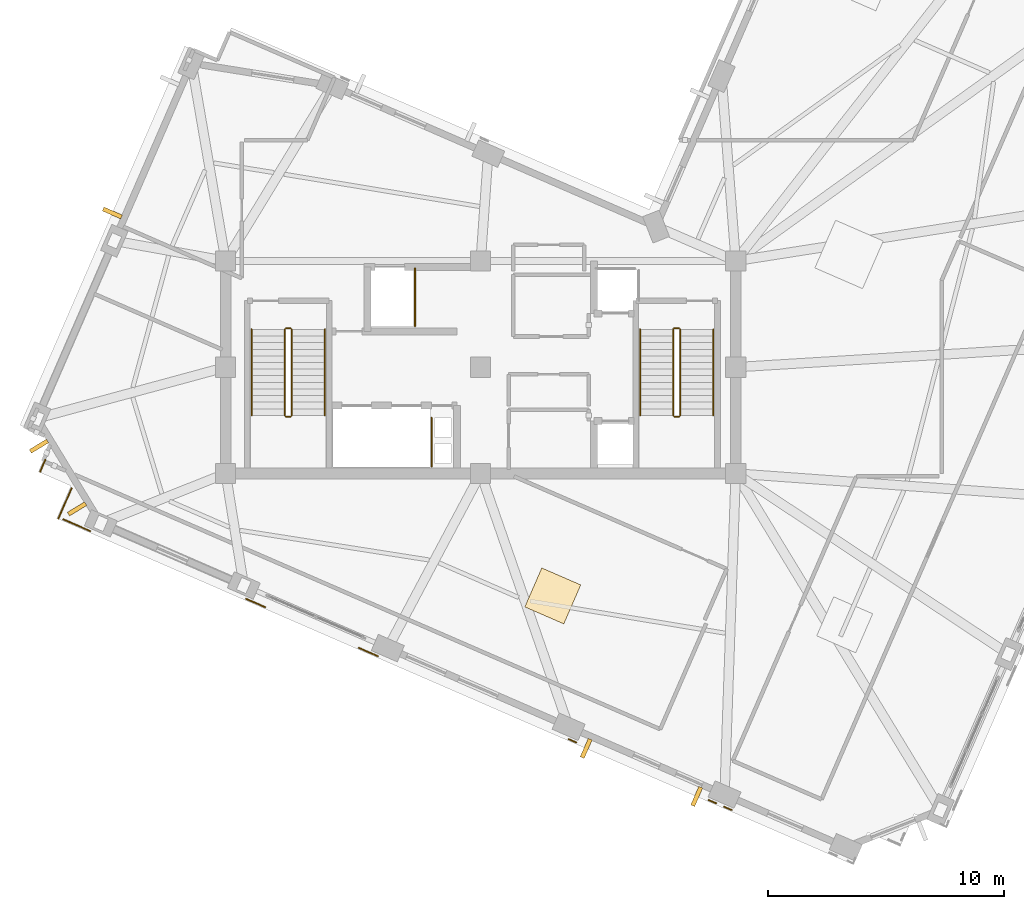
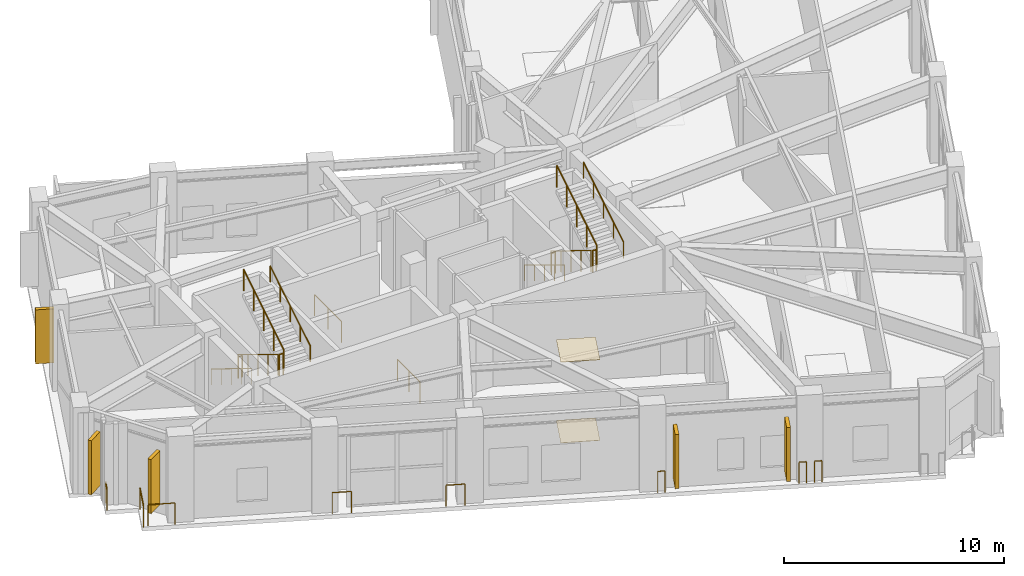
# One storey, part 13 of 16: 22 railings, 5 shading devices, 2 coverings.
"""IFC4 building model written with IfcOpenShell, lengths in metres."""

from ifc_helpers import new_model, si_unit, direction, frame, origin, origin_2d, place, context, subcontext, project, spatial, rectangle, circle, extrude, material, layer, layer_set, type_object, element, save


model = new_model("IFC4")

# Units and contexts
model_context = context("Model", 3, precision=1e-05, world=origin(), true_north=direction((0.0, 1.0)))
body_context = subcontext(model_context, "Body", "Model", "MODEL_VIEW")
ifc_project = project(units=[si_unit("LENGTHUNIT", "METRE"), si_unit("AREAUNIT", "SQUARE_METRE"), si_unit("VOLUMEUNIT", "CUBIC_METRE"), si_unit("PLANEANGLEUNIT", "RADIAN"), si_unit("MASSUNIT", "GRAM", prefix="KILO")], contexts=[model_context])

# Site, building, storey
site_placement = place(None, origin())
site = spatial("IfcSite", under=ifc_project, at=site_placement, CompositionType="ELEMENT")
building_placement = place(site_placement, origin())
building = spatial("IfcBuilding", under=site, at=building_placement, Name="Gaonmaruhae Medical Tower", CompositionType="ELEMENT")
storey_placement = place(building_placement, frame((0.0, 0.0, 333.39990234375)))
storey = spatial("IfcBuildingStorey", under=building, at=storey_placement, Name="L80", CompositionType="ELEMENT", Elevation=333.39990234375)

# Coverings
ifc_material_1 = material(Name="Acoustic mineral ceiling tile", Category="finish")
ifc_layer_1 = layer(ifc_material_1, 0.02490234375)
ifc_layer_set_1 = layer_set([ifc_layer_1], Name="Acoustic mineral ceiling tile")
covering_type_1 = type_object("IfcCoveringType", Name="CLG-01 Antimicrobial Acoustic Mineral Ceiling", PredefinedType="CEILING", material=ifc_layer_set_1)
covering_1_placement = place(storey_placement, frame((27.853271484375, 2.614013671875, 4.47509765625), z_axis=(0.0, 0.0, 1.0), x_axis=(0.398749068925, 0.917060074385, 0.0)))
element("IfcCovering", 1, at=covering_1_placement, inside=storey, type_object=covering_type_1, Name="L80 Clinical Room Acoustic Ceiling 4", PredefinedType="CEILING", context=body_context, shape_type="SweptSolid", body=[
    extrude(rectangle(XDim=1.800048828125, YDim=1.800048828125, at=origin_2d()), origin(), (0.0, 0.0, 1.0), 0.02490234375),
])
ifc_material_2 = material(Name="Seamless clinical vinyl flooring", Category="finish")
ifc_layer_2 = layer(ifc_material_2, 0.014892578125)
ifc_layer_set_2 = layer_set([ifc_layer_2], Name="Seamless clinical vinyl flooring")
covering_type_2 = type_object("IfcCoveringType", Name="FLR-01 Seamless Clinical Antistatic Vinyl Flooring", PredefinedType="FLOORING", material=ifc_layer_set_2)
covering_2_placement = place(storey_placement, frame((27.853271484375, 2.614013671875, 0.0), z_axis=(0.0, 0.0, 1.0), x_axis=(0.398749068925, 0.917060074385, 0.0)))
element("IfcCovering", 2, at=covering_2_placement, inside=storey, type_object=covering_type_2, Name="L80 Clinical Room Vinyl Flooring 4", PredefinedType="FLOORING", context=body_context, shape_type="SweptSolid", body=[
    extrude(rectangle(XDim=1.800048828125, YDim=1.800048828125, at=origin_2d()), origin(), (0.0, 0.0, 1.0), 0.014892578125),
])

# Railings
ifc_material_3 = material(Name="Stainless steel 316L and laminated safety glass", Category="steel")
ifc_layer_3 = layer(ifc_material_3, 0.080078125)
ifc_layer_set_3 = layer_set([ifc_layer_3], Name="Stainless steel 316L and laminated safety glass")
railing_type_1 = type_object("IfcRailingType", Name="GD-120 Outdoor Terrace Safety Glass & Steel Balustrade", PredefinedType="BALUSTRADE", material=ifc_layer_set_3)
railing_1_placement = place(storey_placement, frame((6.363037109375, 8.37890625, 0.0)))
element("IfcRailing", 3, at=railing_1_placement, inside=storey, type_object=railing_type_1, Name="L80 Perimeter Slab Edge Safety Balustrade 21", PredefinedType="BALUSTRADE", context=body_context, shape_type="SweptSolid", body=[
    extrude(circle(Radius=0.02392578125, at=origin_2d()), frame((0.0, 0.0, 1.17578125), z_axis=(-0.398805796925, -0.917035406262, 0.0), x_axis=(0.917035406262, -0.398805796925, 0.0)), (0.0, 0.0, 1.0), 0.56005859375),
    extrude(circle(Radius=0.02099609375, at=origin_2d()), origin(), (0.0, 0.0, 1.0), 1.15185546875),
    extrude(circle(Radius=0.02099609375, at=origin_2d()), frame((-0.223388671875, -0.513671875, 0.0)), (0.0, 0.0, 1.0), 1.15185546875),
])
railing_2_placement = place(storey_placement, frame((7.47265625, 7.169189453125, 0.0)))
element("IfcRailing", 4, at=railing_2_placement, inside=storey, type_object=railing_type_1, Name="L80 Perimeter Slab Edge Safety Balustrade 22", PredefinedType="BALUSTRADE", context=body_context, shape_type="SweptSolid", body=[
    extrude(circle(Radius=0.02392578125, at=origin_2d()), frame((0.0, 0.0, 1.17578125), z_axis=(-0.398694070207, -0.917083986547, 0.0), x_axis=(0.917083986547, -0.398694070207, 0.0)), (0.0, 0.0, 1.0), 1.39306640625),
    extrude(circle(Radius=0.02099609375, at=origin_2d()), origin(), (0.0, 0.0, 1.0), 1.15185546875),
    extrude(circle(Radius=0.02099609375, at=origin_2d()), frame((-0.555419921875, -1.277587890625, 0.0)), (0.0, 0.0, 1.0), 1.15185546875),
])
railing_3_placement = place(storey_placement, frame((7.12890625, 5.85400390625, 0.0)))
element("IfcRailing", 5, at=railing_3_placement, inside=storey, type_object=railing_type_1, Name="L80 Perimeter Slab Edge Safety Balustrade 23", PredefinedType="BALUSTRADE", context=body_context, shape_type="SweptSolid", body=[
    extrude(circle(Radius=0.02392578125, at=origin_2d()), frame((0.0, 0.0, 1.17578125), z_axis=(0.917070056253, -0.398726111414, 0.0), x_axis=(0.398726111414, 0.917070056253, 0.0)), (0.0, 0.0, 1.0), 1.23681640625),
    extrude(circle(Radius=0.02099609375, at=origin_2d()), origin(), (0.0, 0.0, 1.0), 1.15185546875),
    extrude(circle(Radius=0.02099609375, at=origin_2d()), frame((1.13427734375, -0.4931640625, 0.0)), (0.0, 0.0, 1.0), 1.15185546875),
])
for number, where, name in (
    (6, (14.8662109375, 2.48974609375, 0.0), "L80 Perimeter Slab Edge Safety Balustrade 24"),
    (7, (19.64013671875, 0.413818359375, 0.0), "L80 Perimeter Slab Edge Safety Balustrade 25"),
):
    element("IfcRailing", number, at=place(storey_placement, frame(where)), inside=storey, type_object=railing_type_1, Name=name, PredefinedType="BALUSTRADE", context=body_context, shape_type="SweptSolid", body=[
        extrude(circle(Radius=0.02392578125, at=origin_2d()), frame((0.0, 0.0, 1.17578125), z_axis=(0.917061214506, -0.398746446817, 0.0), x_axis=(0.398746446817, 0.917061214506, 0.0)), (0.0, 0.0, 1.0), 0.8779296875),
        extrude(circle(Radius=0.02099609375, at=origin_2d()), origin(), (0.0, 0.0, 1.0), 1.15185546875),
        extrude(circle(Radius=0.02099609375, at=origin_2d()), frame((0.80517578125, -0.35009765625, 0.0)), (0.0, 0.0, 1.0), 1.15185546875),
    ])
railing_4_placement = place(storey_placement, frame((28.52978515625, -3.451416015625, 0.0)))
element("IfcRailing", 8, at=railing_4_placement, inside=storey, type_object=railing_type_1, Name="L80 Perimeter Slab Edge Safety Balustrade 26", PredefinedType="BALUSTRADE", context=body_context, shape_type="SweptSolid", body=[
    extrude(circle(Radius=0.02392578125, at=origin_2d()), frame((0.0, 0.0, 1.17578125), z_axis=(0.917012919483, -0.398857500245, 0.0), x_axis=(0.398857500245, 0.917012919483, 0.0)), (0.0, 0.0, 1.0), 0.339599609375),
    extrude(circle(Radius=0.02099609375, at=origin_2d()), origin(), (0.0, 0.0, 1.0), 1.15185546875),
    extrude(circle(Radius=0.02099609375, at=origin_2d()), frame((0.3115234375, -0.135498046875, 0.0)), (0.0, 0.0, 1.0), 1.15185546875),
])
railing_5_placement = place(storey_placement, frame((34.456298828125, -6.0283203125, 0.0)))
element("IfcRailing", 9, at=railing_5_placement, inside=storey, type_object=railing_type_1, Name="L80 Perimeter Slab Edge Safety Balustrade 27", PredefinedType="BALUSTRADE", context=body_context, shape_type="SweptSolid", body=[
    extrude(circle(Radius=0.02392578125, at=origin_2d()), frame((0.0, 0.0, 1.17578125), z_axis=(0.916898476342, -0.399120513231, 0.0), x_axis=(0.399120513231, 0.916898476342, 0.0)), (0.0, 0.0, 1.0), 0.339599609375),
    extrude(circle(Radius=0.02099609375, at=origin_2d()), origin(), (0.0, 0.0, 1.0), 1.15185546875),
    extrude(circle(Radius=0.02099609375, at=origin_2d()), frame((0.311279296875, -0.135498046875, 0.0)), (0.0, 0.0, 1.0), 1.15185546875),
])
railing_6_placement = place(storey_placement, frame((35.11474609375, -6.314697265625, 0.0)))
element("IfcRailing", 10, at=railing_6_placement, inside=storey, type_object=railing_type_1, Name="L80 Perimeter Slab Edge Safety Balustrade 28", PredefinedType="BALUSTRADE", context=body_context, shape_type="SweptSolid", body=[
    extrude(circle(Radius=0.02392578125, at=origin_2d()), frame((0.0, 0.0, 1.17578125), z_axis=(0.917161522397, -0.398515673261, 0.0), x_axis=(0.398515673261, 0.917161522397, 0.0)), (0.0, 0.0, 1.0), 0.33935546875),
    extrude(circle(Radius=0.02099609375, at=origin_2d()), origin(), (0.0, 0.0, 1.0), 1.15185546875),
    extrude(circle(Radius=0.02099609375, at=origin_2d()), frame((0.311279296875, -0.13525390625, 0.0)), (0.0, 0.0, 1.0), 1.15185546875),
])
ifc_material_4 = material(Name="Stainless steel 304 handrail", Category="steel")
railing_type_2 = type_object("IfcRailingType", Name="HR-092 Continuous Stainless Steel Stair Handrail", PredefinedType="HANDRAIL", material=ifc_material_4)
railing_7_placement = place(storey_placement, frame((15.10009765625, 13.89990234375, 0.171630859375)))
element("IfcRailing", 11, at=railing_7_placement, inside=storey, type_object=railing_type_2, Name="L80 ST-01 stair handrail 1", PredefinedType="HANDRAIL", context=body_context, shape_type="SweptSolid", body=[
    extrude(circle(Radius=0.02392578125, at=origin_2d()), frame((0.0, 0.0, 0.8759765625), z_axis=(0.0, -0.852850264322, 0.5221555579), x_axis=(1.0, 0.0, 0.0)), (0.0, 0.0, 1.0), 4.267822265625),
    extrude(circle(Radius=0.02099609375, at=origin_2d()), origin(), (0.0, 0.0, 1.0), 0.851806640625),
    extrude(circle(Radius=0.02099609375, at=origin_2d()), frame((0.0, -0.909912109375, 0.55712890625)), (0.0, 0.0, 1.0), 0.851806640625),
    extrude(circle(Radius=0.02099609375, at=origin_2d()), frame((0.0, -1.81982421875, 1.1142578125)), (0.0, 0.0, 1.0), 0.851806640625),
    extrude(circle(Radius=0.02099609375, at=origin_2d()), frame((0.0, -2.72998046875, 1.67138671875)), (0.0, 0.0, 1.0), 0.851806640625),
    extrude(circle(Radius=0.02099609375, at=origin_2d()), frame((0.0, -3.639892578125, 2.228515625)), (0.0, 0.0, 1.0), 0.851806640625),
])
railing_8_placement = place(storey_placement, frame((18.199951171875, 10.260009765625, 2.571533203125)))
element("IfcRailing", 12, at=railing_8_placement, inside=storey, type_object=railing_type_2, Name="L80 ST-01 stair handrail 2", PredefinedType="HANDRAIL", context=body_context, shape_type="SweptSolid", body=[
    extrude(circle(Radius=0.02392578125, at=origin_2d()), frame((0.0, 0.0, 0.8759765625), z_axis=(0.0, 0.852850264322, 0.5221555579), x_axis=(-1.0, 0.0, 0.0)), (0.0, 0.0, 1.0), 4.267822265625),
    extrude(circle(Radius=0.02099609375, at=origin_2d()), origin(), (0.0, 0.0, 1.0), 0.851806640625),
    extrude(circle(Radius=0.02099609375, at=origin_2d()), frame((0.0, 0.909912109375, 0.55712890625)), (0.0, 0.0, 1.0), 0.851806640625),
    extrude(circle(Radius=0.02099609375, at=origin_2d()), frame((0.0, 1.81982421875, 1.1142578125)), (0.0, 0.0, 1.0), 0.851806640625),
    extrude(circle(Radius=0.02099609375, at=origin_2d()), frame((0.0, 2.72998046875, 1.67138671875)), (0.0, 0.0, 1.0), 0.851806640625),
    extrude(circle(Radius=0.02099609375, at=origin_2d()), frame((0.0, 3.639892578125, 2.228515625)), (0.0, 0.0, 1.0), 0.851806640625),
])
railing_9_placement = place(storey_placement, frame((31.550048828125, 13.89990234375, 0.171630859375)))
element("IfcRailing", 13, at=railing_9_placement, inside=storey, type_object=railing_type_2, Name="L80 ST-02 stair handrail 1", PredefinedType="HANDRAIL", context=body_context, shape_type="SweptSolid", body=[
    extrude(circle(Radius=0.02392578125, at=origin_2d()), frame((0.0, 0.0, 0.8759765625), z_axis=(0.0, -0.852850264322, 0.5221555579), x_axis=(1.0, 0.0, 0.0)), (0.0, 0.0, 1.0), 4.267822265625),
    extrude(circle(Radius=0.02099609375, at=origin_2d()), origin(), (0.0, 0.0, 1.0), 0.851806640625),
    extrude(circle(Radius=0.02099609375, at=origin_2d()), frame((0.0, -0.909912109375, 0.55712890625)), (0.0, 0.0, 1.0), 0.851806640625),
    extrude(circle(Radius=0.02099609375, at=origin_2d()), frame((0.0, -1.81982421875, 1.1142578125)), (0.0, 0.0, 1.0), 0.851806640625),
    extrude(circle(Radius=0.02099609375, at=origin_2d()), frame((0.0, -2.72998046875, 1.67138671875)), (0.0, 0.0, 1.0), 0.851806640625),
    extrude(circle(Radius=0.02099609375, at=origin_2d()), frame((0.0, -3.639892578125, 2.228515625)), (0.0, 0.0, 1.0), 0.851806640625),
])
railing_10_placement = place(storey_placement, frame((34.64990234375, 10.260009765625, 2.571533203125)))
element("IfcRailing", 14, at=railing_10_placement, inside=storey, type_object=railing_type_2, Name="L80 ST-02 stair handrail 2", PredefinedType="HANDRAIL", context=body_context, shape_type="SweptSolid", body=[
    extrude(circle(Radius=0.02392578125, at=origin_2d()), frame((0.0, 0.0, 0.8759765625), z_axis=(0.0, 0.852850264322, 0.5221555579), x_axis=(-1.0, 0.0, 0.0)), (0.0, 0.0, 1.0), 4.267822265625),
    extrude(circle(Radius=0.02099609375, at=origin_2d()), origin(), (0.0, 0.0, 1.0), 0.851806640625),
    extrude(circle(Radius=0.02099609375, at=origin_2d()), frame((0.0, 0.909912109375, 0.55712890625)), (0.0, 0.0, 1.0), 0.851806640625),
    extrude(circle(Radius=0.02099609375, at=origin_2d()), frame((0.0, 1.81982421875, 1.1142578125)), (0.0, 0.0, 1.0), 0.851806640625),
    extrude(circle(Radius=0.02099609375, at=origin_2d()), frame((0.0, 2.72998046875, 1.67138671875)), (0.0, 0.0, 1.0), 0.851806640625),
    extrude(circle(Radius=0.02099609375, at=origin_2d()), frame((0.0, 3.639892578125, 2.228515625)), (0.0, 0.0, 1.0), 0.851806640625),
])

# Shading devices
ifc_material_5 = material(Name="Pigmented coral precast concrete C45/55", Category="concrete")
shading_device_type = type_object("IfcShadingDeviceType", Name="SD-FIN1 Tower Vertical Coral Precast Shading Fin", PredefinedType="USERDEFINED", material=ifc_material_5)
for number, where, z_axis, x_axis, name in (
    (15, (9.201416015625, 18.831298828125, 0.49267578125), (0.0, 0.0, 1.0), (0.398749068925, 0.917060074385, 0.0), "L80 Vertical Coral Precast Shading Fin N01"),
    (16, (7.705322265625, 6.2998046875, 0.49267578125), (0.0, 0.0, 1.0), (-0.519250650088, 0.854621999707, 0.0), "L80 Vertical Coral Precast Shading Fin N03"),
    (17, (6.091796875, 8.955322265625, 0.49267578125), (0.0, 0.0, 1.0), (-0.519250650088, 0.854621999707, 0.0), "L80 Vertical Coral Precast Shading Fin N03B"),
    (18, (33.948486328125, -5.87841796875, 0.49267578125), (0.0, 0.0, 1.0), (-0.917060074385, 0.398749068925, 0.0), "L80 Vertical Coral Precast Shading Fin W04"),
    (19, (29.266845703125, -3.8427734375, 0.49267578125), (0.0, 0.0, 1.0), (-0.917060074385, 0.398749068925, 0.0), "L80 Vertical Coral Precast Shading Fin W04B"),
):
    element("IfcShadingDevice", number, at=place(storey_placement, frame(where, z_axis=z_axis, x_axis=x_axis)), inside=storey, type_object=shading_device_type, Name=name, ObjectType="FIN", PredefinedType="USERDEFINED", context=body_context, shape_type="SweptSolid", body=[
        extrude(rectangle(XDim=0.179931640625, YDim=0.85009765625, at=origin_2d()), origin(), (0.0, 0.0, 1.0), 3.0),
    ])

# Railings
ifc_material_6 = material(Name="Stainless steel 304 balustrade", Category="steel")
railing_type_3 = type_object("IfcRailingType", Name="SG-112 Stair Well & Ramp Void Safety Balustrade", PredefinedType="BALUSTRADE", material=ifc_material_6)
railing_11_placement = place(storey_placement, frame((16.5, 13.89990234375, 0.171630859375)))
element("IfcRailing", 20, at=railing_11_placement, inside=storey, type_object=railing_type_3, Name="L80 ST-01 stair guard 1", PredefinedType="BALUSTRADE", context=body_context, shape_type="SweptSolid", body=[
    extrude(circle(Radius=0.02392578125, at=origin_2d()), frame((0.0, 0.0, 1.17578125), z_axis=(0.0, -0.852850264322, 0.5221555579), x_axis=(1.0, 0.0, 0.0)), (0.0, 0.0, 1.0), 4.267822265625),
    extrude(circle(Radius=0.02099609375, at=origin_2d()), origin(), (0.0, 0.0, 1.0), 1.15185546875),
    extrude(circle(Radius=0.02099609375, at=origin_2d()), frame((0.0, -0.909912109375, 0.55712890625)), (0.0, 0.0, 1.0), 1.15185546875),
    extrude(circle(Radius=0.02099609375, at=origin_2d()), frame((0.0, -1.81982421875, 1.1142578125)), (0.0, 0.0, 1.0), 1.15185546875),
    extrude(circle(Radius=0.02099609375, at=origin_2d()), frame((0.0, -2.72998046875, 1.67138671875)), (0.0, 0.0, 1.0), 1.15185546875),
    extrude(circle(Radius=0.02099609375, at=origin_2d()), frame((0.0, -3.639892578125, 2.228515625)), (0.0, 0.0, 1.0), 1.15185546875),
])
railing_12_placement = place(storey_placement, frame((16.550048828125, 10.2099609375, 2.400146484375)))
element("IfcRailing", 21, at=railing_12_placement, inside=storey, type_object=railing_type_3, Name="L80 ST-01 stair guard 2", PredefinedType="BALUSTRADE", context=body_context, shape_type="SweptSolid", body=[
    extrude(circle(Radius=0.02392578125, at=origin_2d()), frame((0.0, 0.0, 1.17578125), z_axis=(1.0, 0.0, 0.0), x_axis=(0.0, 1.0, 0.0)), (0.0, 0.0, 1.0), 0.199951171875),
    extrude(circle(Radius=0.02099609375, at=origin_2d()), origin(), (0.0, 0.0, 1.0), 1.15185546875),
    extrude(circle(Radius=0.02099609375, at=origin_2d()), frame((0.199951171875, 0.0, 0.0)), (0.0, 0.0, 1.0), 1.15185546875),
])
railing_13_placement = place(storey_placement, frame((16.800048828125, 10.260009765625, 2.571533203125)))
element("IfcRailing", 22, at=railing_13_placement, inside=storey, type_object=railing_type_3, Name="L80 ST-01 stair guard 3", PredefinedType="BALUSTRADE", context=body_context, shape_type="SweptSolid", body=[
    extrude(circle(Radius=0.02392578125, at=origin_2d()), frame((0.0, 0.0, 1.17578125), z_axis=(0.0, 0.852850264322, 0.5221555579), x_axis=(-1.0, 0.0, 0.0)), (0.0, 0.0, 1.0), 4.267822265625),
    extrude(circle(Radius=0.02099609375, at=origin_2d()), origin(), (0.0, 0.0, 1.0), 1.15185546875),
    extrude(circle(Radius=0.02099609375, at=origin_2d()), frame((0.0, 0.909912109375, 0.55712890625)), (0.0, 0.0, 1.0), 1.15185546875),
    extrude(circle(Radius=0.02099609375, at=origin_2d()), frame((0.0, 1.81982421875, 1.1142578125)), (0.0, 0.0, 1.0), 1.15185546875),
    extrude(circle(Radius=0.02099609375, at=origin_2d()), frame((0.0, 2.72998046875, 1.67138671875)), (0.0, 0.0, 1.0), 1.15185546875),
    extrude(circle(Radius=0.02099609375, at=origin_2d()), frame((0.0, 3.639892578125, 2.228515625)), (0.0, 0.0, 1.0), 1.15185546875),
])
railing_14_placement = place(storey_placement, frame((16.550048828125, 13.949951171875, 0.0)))
element("IfcRailing", 23, at=railing_14_placement, inside=storey, type_object=railing_type_3, Name="L80 ST-01 stair guard 4", PredefinedType="BALUSTRADE", context=body_context, shape_type="SweptSolid", body=[
    extrude(circle(Radius=0.02392578125, at=origin_2d()), frame((0.0, 0.0, 1.17578125), z_axis=(1.0, 0.0, 0.0), x_axis=(0.0, 1.0, 0.0)), (0.0, 0.0, 1.0), 0.199951171875),
    extrude(circle(Radius=0.02099609375, at=origin_2d()), origin(), (0.0, 0.0, 1.0), 1.15185546875),
    extrude(circle(Radius=0.02099609375, at=origin_2d()), frame((0.199951171875, 0.0, 0.0)), (0.0, 0.0, 1.0), 1.15185546875),
])
railing_15_placement = place(storey_placement, frame((32.949951171875, 13.89990234375, 0.171630859375)))
element("IfcRailing", 24, at=railing_15_placement, inside=storey, type_object=railing_type_3, Name="L80 ST-02 stair guard 1", PredefinedType="BALUSTRADE", context=body_context, shape_type="SweptSolid", body=[
    extrude(circle(Radius=0.02392578125, at=origin_2d()), frame((0.0, 0.0, 1.17578125), z_axis=(0.0, -0.852850264322, 0.5221555579), x_axis=(1.0, 0.0, 0.0)), (0.0, 0.0, 1.0), 4.267822265625),
    extrude(circle(Radius=0.02099609375, at=origin_2d()), origin(), (0.0, 0.0, 1.0), 1.15185546875),
    extrude(circle(Radius=0.02099609375, at=origin_2d()), frame((0.0, -0.909912109375, 0.55712890625)), (0.0, 0.0, 1.0), 1.15185546875),
    extrude(circle(Radius=0.02099609375, at=origin_2d()), frame((0.0, -1.81982421875, 1.1142578125)), (0.0, 0.0, 1.0), 1.15185546875),
    extrude(circle(Radius=0.02099609375, at=origin_2d()), frame((0.0, -2.72998046875, 1.67138671875)), (0.0, 0.0, 1.0), 1.15185546875),
    extrude(circle(Radius=0.02099609375, at=origin_2d()), frame((0.0, -3.639892578125, 2.228515625)), (0.0, 0.0, 1.0), 1.15185546875),
])
railing_16_placement = place(storey_placement, frame((33.0, 10.2099609375, 2.400146484375)))
element("IfcRailing", 25, at=railing_16_placement, inside=storey, type_object=railing_type_3, Name="L80 ST-02 stair guard 2", PredefinedType="BALUSTRADE", context=body_context, shape_type="SweptSolid", body=[
    extrude(circle(Radius=0.02392578125, at=origin_2d()), frame((0.0, 0.0, 1.17578125), z_axis=(1.0, 0.0, 0.0), x_axis=(0.0, 1.0, 0.0)), (0.0, 0.0, 1.0), 0.199951171875),
    extrude(circle(Radius=0.02099609375, at=origin_2d()), origin(), (0.0, 0.0, 1.0), 1.15185546875),
    extrude(circle(Radius=0.02099609375, at=origin_2d()), frame((0.199951171875, 0.0, 0.0)), (0.0, 0.0, 1.0), 1.15185546875),
])
railing_17_placement = place(storey_placement, frame((33.25, 10.260009765625, 2.571533203125)))
element("IfcRailing", 26, at=railing_17_placement, inside=storey, type_object=railing_type_3, Name="L80 ST-02 stair guard 3", PredefinedType="BALUSTRADE", context=body_context, shape_type="SweptSolid", body=[
    extrude(circle(Radius=0.02392578125, at=origin_2d()), frame((0.0, 0.0, 1.17578125), z_axis=(0.0, 0.852850264322, 0.5221555579), x_axis=(-1.0, 0.0, 0.0)), (0.0, 0.0, 1.0), 4.267822265625),
    extrude(circle(Radius=0.02099609375, at=origin_2d()), origin(), (0.0, 0.0, 1.0), 1.15185546875),
    extrude(circle(Radius=0.02099609375, at=origin_2d()), frame((0.0, 0.909912109375, 0.55712890625)), (0.0, 0.0, 1.0), 1.15185546875),
    extrude(circle(Radius=0.02099609375, at=origin_2d()), frame((0.0, 1.81982421875, 1.1142578125)), (0.0, 0.0, 1.0), 1.15185546875),
    extrude(circle(Radius=0.02099609375, at=origin_2d()), frame((0.0, 2.72998046875, 1.67138671875)), (0.0, 0.0, 1.0), 1.15185546875),
    extrude(circle(Radius=0.02099609375, at=origin_2d()), frame((0.0, 3.639892578125, 2.228515625)), (0.0, 0.0, 1.0), 1.15185546875),
])
railing_18_placement = place(storey_placement, frame((33.0, 13.949951171875, 0.0)))
element("IfcRailing", 27, at=railing_18_placement, inside=storey, type_object=railing_type_3, Name="L80 ST-02 stair guard 4", PredefinedType="BALUSTRADE", context=body_context, shape_type="SweptSolid", body=[
    extrude(circle(Radius=0.02392578125, at=origin_2d()), frame((0.0, 0.0, 1.17578125), z_axis=(1.0, 0.0, 0.0), x_axis=(0.0, 1.0, 0.0)), (0.0, 0.0, 1.0), 0.199951171875),
    extrude(circle(Radius=0.02099609375, at=origin_2d()), origin(), (0.0, 0.0, 1.0), 1.15185546875),
    extrude(circle(Radius=0.02099609375, at=origin_2d()), frame((0.199951171875, 0.0, 0.0)), (0.0, 0.0, 1.0), 1.15185546875),
])
railing_19_placement = place(storey_placement, frame((22.719970703125, 10.159912109375, 0.0)))
element("IfcRailing", 28, at=railing_19_placement, inside=storey, type_object=railing_type_3, Name="L80 Shaft Edge Safety Guard 34", PredefinedType="BALUSTRADE", context=body_context, shape_type="SweptSolid", body=[
    extrude(circle(Radius=0.02392578125, at=origin_2d()), frame((0.0, 0.0, 1.17578125), z_axis=(0.0, -1.0, 0.0), x_axis=(1.0, 0.0, 0.0)), (0.0, 0.0, 1.0), 2.06494140625),
    extrude(circle(Radius=0.02099609375, at=origin_2d()), origin(), (0.0, 0.0, 1.0), 1.15185546875),
    extrude(circle(Radius=0.02099609375, at=origin_2d()), frame((0.0, -1.032470703125, 0.0)), (0.0, 0.0, 1.0), 1.15185546875),
    extrude(circle(Radius=0.02099609375, at=origin_2d()), frame((0.0, -2.06494140625, 0.0)), (0.0, 0.0, 1.0), 1.15185546875),
])
railing_20_placement = place(storey_placement, frame((22.02001953125, 16.485107421875, 0.0)))
element("IfcRailing", 29, at=railing_20_placement, inside=storey, type_object=railing_type_3, Name="L80 Shaft Edge Safety Guard 35", PredefinedType="BALUSTRADE", context=body_context, shape_type="SweptSolid", body=[
    extrude(circle(Radius=0.02392578125, at=origin_2d()), frame((0.0, 0.0, 1.17578125), z_axis=(0.0, -1.0, 0.0), x_axis=(1.0, 0.0, 0.0)), (0.0, 0.0, 1.0), 2.440185546875),
    extrude(circle(Radius=0.02099609375, at=origin_2d()), origin(), (0.0, 0.0, 1.0), 1.15185546875),
    extrude(circle(Radius=0.02099609375, at=origin_2d()), frame((0.0, -1.22021484375, 0.0)), (0.0, 0.0, 1.0), 1.15185546875),
    extrude(circle(Radius=0.02099609375, at=origin_2d()), frame((0.0, -2.440185546875, 0.0)), (0.0, 0.0, 1.0), 1.15185546875),
])

save(model, "model.ifc")
